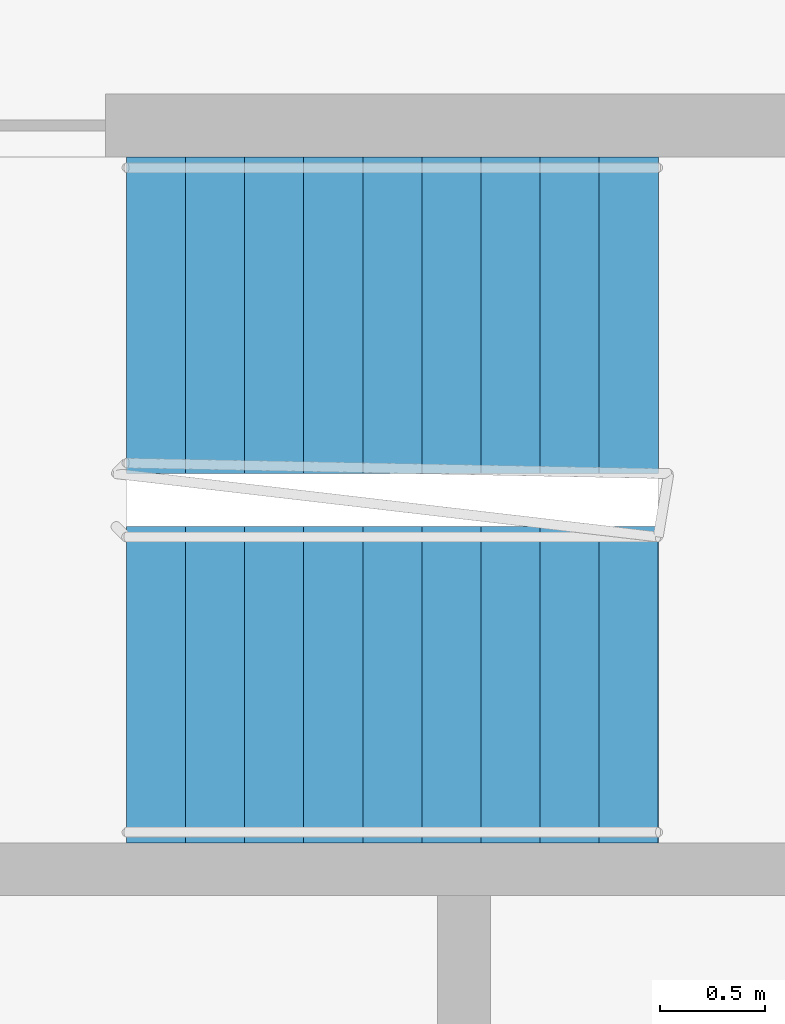
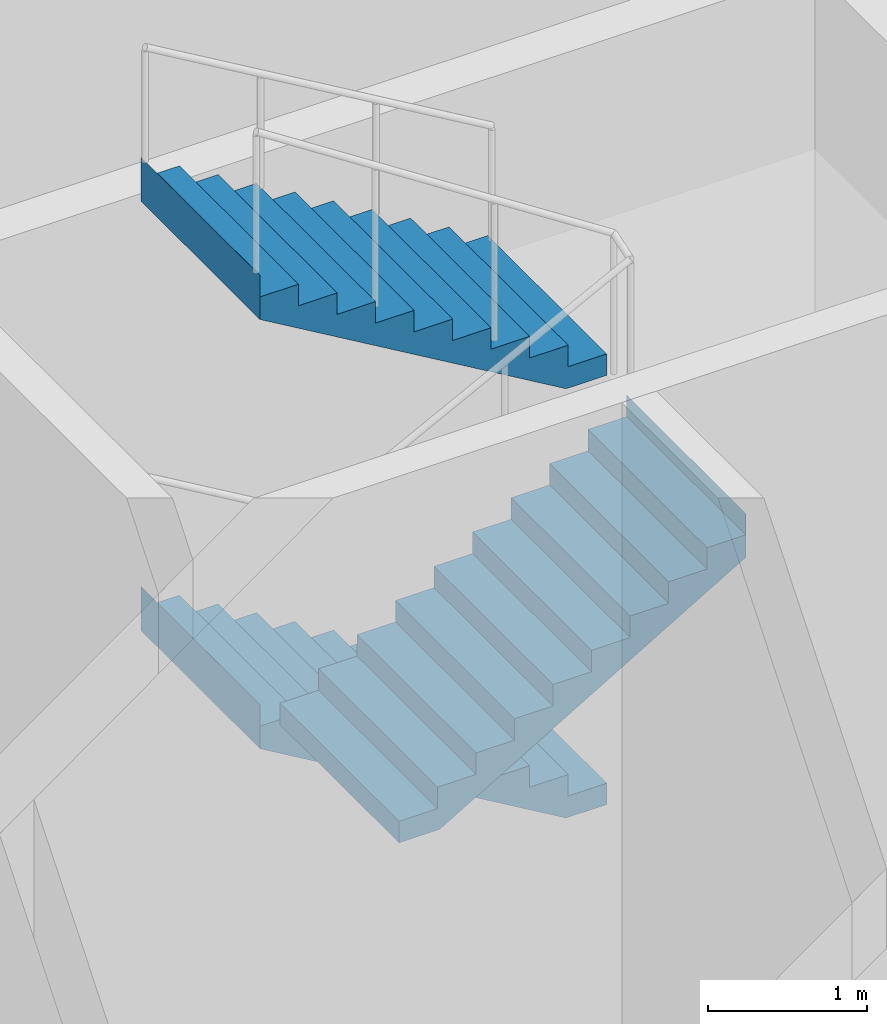
# One storey, part 21 of 24: 3 stair flights, 1 element without a shape of its own.
"""IFC4 building model written with IfcOpenShell, lengths in metres."""

from ifc_helpers import new_model, si_unit, direction, frame, origin, place, context, subcontext, project, spatial, faceted_brep, material, type_object, element, aggregate, save


model = new_model("IFC4")

# Units and contexts
model_context = context("Model", 3, precision=1e-05, world=origin(), true_north=direction((0.0, 1.0)))
body_context = subcontext(model_context, "Body", "Model", "MODEL_VIEW")
ifc_project = project(units=[si_unit("LENGTHUNIT", "METRE"), si_unit("AREAUNIT", "SQUARE_METRE"), si_unit("VOLUMEUNIT", "CUBIC_METRE"), si_unit("PLANEANGLEUNIT", "RADIAN"), si_unit("MASSUNIT", "GRAM", prefix="KILO")], contexts=[model_context])

# Site, building, storey
site_placement = place(None, origin())
site = spatial("IfcSite", under=ifc_project, at=site_placement, CompositionType="ELEMENT")
building_placement = place(site_placement, origin())
building = spatial("IfcBuilding", under=site, at=building_placement, Name="Kajstack Hotel Tower", CompositionType="ELEMENT")
storey_placement = place(building_placement, frame((0.0, 0.0, 261.89990234375)))
storey = spatial("IfcBuildingStorey", under=building, at=storey_placement, Name="L65", CompositionType="ELEMENT", Elevation=261.89990234375)

# Stair, stair flights
ifc_material = material(Name="Concrete C40/50", Category="concrete")
stair_type = type_object("IfcStairType", Name="Exit stair 1500", PredefinedType="HALF_TURN_STAIR", material=ifc_material)
stair_placement = place(storey_placement, origin())
stair = element("IfcStair", 1, at=stair_placement, inside=storey, type_object=stair_type, Name="L65 stair E3", PredefinedType="HALF_TURN_STAIR")
stair_flight_type = type_object("IfcStairFlightType", Name="Exit stair flight 1500", PredefinedType="STRAIGHT", material=ifc_material)
stair_flight_1_placement = place(storey_placement, frame((28.219970703125, 14.449951171875, 1.650146484375), z_axis=(0.0, 0.0, 1.0), x_axis=(-1.0, 0.0, 0.0)))
stair_flight_1 = element("IfcStairFlight", 2, at=stair_flight_1_placement, type_object=stair_flight_type, Name="E3 flight 2", NumberOfRisers=10, NumberOfTreads=9, PredefinedType="STRAIGHT", RiserHeight=0.165, TreadLength=0.28, context=body_context, shape_type="Brep", body=[
    faceted_brep([(0.295654296875, -0.75, 0.0), (2.5205078125, -0.75, 1.31103515625), (2.5205078125, -0.75, 1.64990234375), (2.52001953125, -0.75, 1.64990234375), (2.52001953125, -0.75, 1.485107421875), (2.239990234375, -0.75, 1.485107421875), (2.239990234375, -0.75, 1.320068359375), (1.9599609375, -0.75, 1.320068359375), (1.9599609375, -0.75, 1.155029296875), (1.679931640625, -0.75, 1.155029296875), (1.679931640625, -0.75, 0.989990234375), (1.39990234375, -0.75, 0.989990234375), (1.39990234375, -0.75, 0.824951171875), (1.1201171875, -0.75, 0.824951171875), (1.1201171875, -0.75, 0.659912109375), (0.840087890625, -0.75, 0.659912109375), (0.840087890625, -0.75, 0.4951171875), (0.56005859375, -0.75, 0.4951171875), (0.56005859375, -0.75, 0.330078125), (0.280029296875, -0.75, 0.330078125), (0.280029296875, -0.75, 0.1650390625), (-0.00048828125, -0.75, 0.1650390625), (-0.00048828125, -0.75, 0.0), (-0.00048828125, 0.75, 0.0), (-0.00048828125, 0.75, 0.1650390625), (0.280029296875, 0.75, 0.1650390625), (0.280029296875, 0.75, 0.330078125), (0.56005859375, 0.75, 0.330078125), (0.56005859375, 0.75, 0.4951171875), (0.840087890625, 0.75, 0.4951171875), (0.840087890625, 0.75, 0.659912109375), (1.1201171875, 0.75, 0.659912109375), (1.1201171875, 0.75, 0.824951171875), (1.39990234375, 0.75, 0.824951171875), (1.39990234375, 0.75, 0.989990234375), (1.679931640625, 0.75, 0.989990234375), (1.679931640625, 0.75, 1.155029296875), (1.9599609375, 0.75, 1.155029296875), (1.9599609375, 0.75, 1.320068359375), (2.239990234375, 0.75, 1.320068359375), (2.239990234375, 0.75, 1.485107421875), (2.52001953125, 0.75, 1.485107421875), (2.52001953125, 0.75, 1.64990234375), (2.5205078125, 0.75, 1.64990234375), (2.5205078125, 0.75, 1.31103515625), (0.295654296875, 0.75, 0.0), (-0.00048828125, -0.375, 0.1650390625), (-0.00048828125, 0.0, 0.1650390625), (-0.00048828125, 0.375, 0.1650390625), (-0.00048828125, 0.375, 0.0), (-0.00048828125, 0.0, 0.0), (-0.00048828125, -0.375, 0.0), (0.280029296875, -0.375, 0.1650390625), (0.280029296875, 0.0, 0.1650390625), (0.280029296875, 0.375, 0.1650390625), (0.280029296875, -0.375, 0.330078125), (0.280029296875, 0.0, 0.330078125), (0.280029296875, 0.375, 0.330078125), (0.56005859375, -0.375, 0.330078125), (0.56005859375, 0.0, 0.330078125), (0.56005859375, 0.375, 0.330078125), (0.56005859375, -0.375, 0.4951171875), (0.56005859375, 0.0, 0.4951171875), (0.56005859375, 0.375, 0.4951171875), (0.840087890625, -0.375, 0.4951171875), (0.840087890625, 0.0, 0.4951171875), (0.840087890625, 0.375, 0.4951171875), (0.840087890625, -0.375, 0.659912109375), (0.840087890625, 0.0, 0.659912109375), (0.840087890625, 0.375, 0.659912109375), (1.1201171875, -0.375, 0.659912109375), (1.1201171875, 0.0, 0.659912109375), (1.1201171875, 0.375, 0.659912109375), (1.1201171875, -0.375, 0.824951171875), (1.1201171875, 0.0, 0.824951171875), (1.1201171875, 0.375, 0.824951171875), (1.39990234375, -0.375, 0.824951171875), (1.39990234375, 0.0, 0.824951171875), (1.39990234375, 0.375, 0.824951171875), (1.39990234375, -0.375, 0.989990234375), (1.39990234375, 0.0, 0.989990234375), (1.39990234375, 0.375, 0.989990234375), (1.679931640625, -0.375, 0.989990234375), (1.679931640625, 0.0, 0.989990234375), (1.679931640625, 0.375, 0.989990234375), (1.679931640625, -0.375, 1.155029296875), (1.679931640625, 0.0, 1.155029296875), (1.679931640625, 0.375, 1.155029296875), (1.9599609375, -0.375, 1.155029296875), (1.9599609375, 0.0, 1.155029296875), (1.9599609375, 0.375, 1.155029296875), (1.9599609375, -0.375, 1.320068359375), (1.9599609375, 0.0, 1.320068359375), (1.9599609375, 0.375, 1.320068359375), (2.239990234375, -0.375, 1.320068359375), (2.239990234375, 0.0, 1.320068359375), (2.239990234375, 0.375, 1.320068359375), (2.239990234375, -0.375, 1.485107421875), (2.239990234375, 0.0, 1.485107421875), (2.239990234375, 0.375, 1.485107421875), (2.52001953125, -0.375, 1.485107421875), (2.52001953125, 0.0, 1.485107421875), (2.52001953125, 0.375, 1.485107421875), (2.52001953125, -0.375, 1.64990234375), (2.52001953125, 0.0, 1.64990234375), (2.52001953125, 0.375, 1.64990234375), (2.5205078125, -0.375, 1.64990234375), (2.5205078125, 0.0, 1.64990234375), (2.5205078125, 0.375, 1.64990234375), (2.5205078125, -0.375, 1.31103515625), (2.5205078125, 0.0, 1.31103515625), (2.5205078125, 0.375, 1.31103515625), (0.295654296875, -0.375, 0.0), (0.295654296875, 0.0, 0.0), (0.295654296875, 0.375, 0.0)], [[[0, 1, 2, 3, 4, 5, 6, 7, 8, 9, 10, 11, 12, 13, 14, 15, 16, 17, 18, 19, 20, 21, 22]], [[23, 24, 25, 26, 27, 28, 29, 30, 31, 32, 33, 34, 35, 36, 37, 38, 39, 40, 41, 42, 43, 44, 45]], [[21, 46, 47, 48, 24, 23, 49, 50, 51, 22]], [[20, 52, 53, 54, 25, 24, 48, 47, 46, 21]], [[19, 55, 56, 57, 26, 25, 54, 53, 52, 20]], [[18, 58, 59, 60, 27, 26, 57, 56, 55, 19]], [[17, 61, 62, 63, 28, 27, 60, 59, 58, 18]], [[16, 64, 65, 66, 29, 28, 63, 62, 61, 17]], [[15, 67, 68, 69, 30, 29, 66, 65, 64, 16]], [[14, 70, 71, 72, 31, 30, 69, 68, 67, 15]], [[13, 73, 74, 75, 32, 31, 72, 71, 70, 14]], [[12, 76, 77, 78, 33, 32, 75, 74, 73, 13]], [[11, 79, 80, 81, 34, 33, 78, 77, 76, 12]], [[10, 82, 83, 84, 35, 34, 81, 80, 79, 11]], [[9, 85, 86, 87, 36, 35, 84, 83, 82, 10]], [[8, 88, 89, 90, 37, 36, 87, 86, 85, 9]], [[7, 91, 92, 93, 38, 37, 90, 89, 88, 8]], [[6, 94, 95, 96, 39, 38, 93, 92, 91, 7]], [[5, 97, 98, 99, 40, 39, 96, 95, 94, 6]], [[4, 100, 101, 102, 41, 40, 99, 98, 97, 5]], [[3, 103, 104, 105, 42, 41, 102, 101, 100, 4]], [[2, 106, 107, 108, 43, 42, 105, 104, 103, 3]], [[1, 109, 110, 111, 44, 43, 108, 107, 106, 2]], [[0, 112, 113, 114, 45, 44, 111, 110, 109, 1]], [[22, 51, 50, 49, 23, 45, 114, 113, 112, 0]]]),
])
stair_flight_2_placement = place(storey_placement, frame((25.699951171875, 12.699951171875, 3.300048828125), z_axis=(0.0, 0.0, 1.0), x_axis=(1.0, 0.0, 0.0)))
stair_flight_2 = element("IfcStairFlight", 3, at=stair_flight_2_placement, type_object=stair_flight_type, Name="E3 flight 3", NumberOfRisers=10, NumberOfTreads=9, PredefinedType="STRAIGHT", RiserHeight=0.165, TreadLength=0.28, context=body_context, shape_type="Brep", body=[
    faceted_brep([(0.295654296875, -0.75, 0.0), (2.5205078125, -0.75, 1.31103515625), (2.5205078125, -0.75, 1.64990234375), (2.52001953125, -0.75, 1.64990234375), (2.52001953125, -0.75, 1.485107421875), (2.239990234375, -0.75, 1.485107421875), (2.239990234375, -0.75, 1.320068359375), (1.9599609375, -0.75, 1.320068359375), (1.9599609375, -0.75, 1.155029296875), (1.679931640625, -0.75, 1.155029296875), (1.679931640625, -0.75, 0.989990234375), (1.39990234375, -0.75, 0.989990234375), (1.39990234375, -0.75, 0.824951171875), (1.1201171875, -0.75, 0.824951171875), (1.1201171875, -0.75, 0.659912109375), (0.840087890625, -0.75, 0.659912109375), (0.840087890625, -0.75, 0.4951171875), (0.56005859375, -0.75, 0.4951171875), (0.56005859375, -0.75, 0.330078125), (0.280029296875, -0.75, 0.330078125), (0.280029296875, -0.75, 0.1650390625), (-0.00048828125, -0.75, 0.1650390625), (-0.00048828125, -0.75, 0.0), (-0.00048828125, 0.75, 0.0), (-0.00048828125, 0.75, 0.1650390625), (0.280029296875, 0.75, 0.1650390625), (0.280029296875, 0.75, 0.330078125), (0.56005859375, 0.75, 0.330078125), (0.56005859375, 0.75, 0.4951171875), (0.840087890625, 0.75, 0.4951171875), (0.840087890625, 0.75, 0.659912109375), (1.1201171875, 0.75, 0.659912109375), (1.1201171875, 0.75, 0.824951171875), (1.39990234375, 0.75, 0.824951171875), (1.39990234375, 0.75, 0.989990234375), (1.679931640625, 0.75, 0.989990234375), (1.679931640625, 0.75, 1.155029296875), (1.9599609375, 0.75, 1.155029296875), (1.9599609375, 0.75, 1.320068359375), (2.239990234375, 0.75, 1.320068359375), (2.239990234375, 0.75, 1.485107421875), (2.52001953125, 0.75, 1.485107421875), (2.52001953125, 0.75, 1.64990234375), (2.5205078125, 0.75, 1.64990234375), (2.5205078125, 0.75, 1.31103515625), (0.295654296875, 0.75, 0.0), (-0.00048828125, -0.375, 0.1650390625), (-0.00048828125, 0.0, 0.1650390625), (-0.00048828125, 0.375, 0.1650390625), (-0.00048828125, 0.375, 0.0), (-0.00048828125, 0.0, 0.0), (-0.00048828125, -0.375, 0.0), (0.280029296875, -0.375, 0.1650390625), (0.280029296875, 0.0, 0.1650390625), (0.280029296875, 0.375, 0.1650390625), (0.280029296875, -0.375, 0.330078125), (0.280029296875, 0.0, 0.330078125), (0.280029296875, 0.375, 0.330078125), (0.56005859375, -0.375, 0.330078125), (0.56005859375, 0.0, 0.330078125), (0.56005859375, 0.375, 0.330078125), (0.56005859375, -0.375, 0.4951171875), (0.56005859375, 0.0, 0.4951171875), (0.56005859375, 0.375, 0.4951171875), (0.840087890625, -0.375, 0.4951171875), (0.840087890625, 0.0, 0.4951171875), (0.840087890625, 0.375, 0.4951171875), (0.840087890625, -0.375, 0.659912109375), (0.840087890625, 0.0, 0.659912109375), (0.840087890625, 0.375, 0.659912109375), (1.1201171875, -0.375, 0.659912109375), (1.1201171875, 0.0, 0.659912109375), (1.1201171875, 0.375, 0.659912109375), (1.1201171875, -0.375, 0.824951171875), (1.1201171875, 0.0, 0.824951171875), (1.1201171875, 0.375, 0.824951171875), (1.39990234375, -0.375, 0.824951171875), (1.39990234375, 0.0, 0.824951171875), (1.39990234375, 0.375, 0.824951171875), (1.39990234375, -0.375, 0.989990234375), (1.39990234375, 0.0, 0.989990234375), (1.39990234375, 0.375, 0.989990234375), (1.679931640625, -0.375, 0.989990234375), (1.679931640625, 0.0, 0.989990234375), (1.679931640625, 0.375, 0.989990234375), (1.679931640625, -0.375, 1.155029296875), (1.679931640625, 0.0, 1.155029296875), (1.679931640625, 0.375, 1.155029296875), (1.9599609375, -0.375, 1.155029296875), (1.9599609375, 0.0, 1.155029296875), (1.9599609375, 0.375, 1.155029296875), (1.9599609375, -0.375, 1.320068359375), (1.9599609375, 0.0, 1.320068359375), (1.9599609375, 0.375, 1.320068359375), (2.239990234375, -0.375, 1.320068359375), (2.239990234375, 0.0, 1.320068359375), (2.239990234375, 0.375, 1.320068359375), (2.239990234375, -0.375, 1.485107421875), (2.239990234375, 0.0, 1.485107421875), (2.239990234375, 0.375, 1.485107421875), (2.52001953125, -0.375, 1.485107421875), (2.52001953125, 0.0, 1.485107421875), (2.52001953125, 0.375, 1.485107421875), (2.52001953125, -0.375, 1.64990234375), (2.52001953125, 0.0, 1.64990234375), (2.52001953125, 0.375, 1.64990234375), (2.5205078125, -0.375, 1.64990234375), (2.5205078125, 0.0, 1.64990234375), (2.5205078125, 0.375, 1.64990234375), (2.5205078125, -0.375, 1.31103515625), (2.5205078125, 0.0, 1.31103515625), (2.5205078125, 0.375, 1.31103515625), (0.295654296875, -0.375, 0.0), (0.295654296875, 0.0, 0.0), (0.295654296875, 0.375, 0.0)], [[[0, 1, 2, 3, 4, 5, 6, 7, 8, 9, 10, 11, 12, 13, 14, 15, 16, 17, 18, 19, 20, 21, 22]], [[23, 24, 25, 26, 27, 28, 29, 30, 31, 32, 33, 34, 35, 36, 37, 38, 39, 40, 41, 42, 43, 44, 45]], [[21, 46, 47, 48, 24, 23, 49, 50, 51, 22]], [[20, 52, 53, 54, 25, 24, 48, 47, 46, 21]], [[19, 55, 56, 57, 26, 25, 54, 53, 52, 20]], [[18, 58, 59, 60, 27, 26, 57, 56, 55, 19]], [[17, 61, 62, 63, 28, 27, 60, 59, 58, 18]], [[16, 64, 65, 66, 29, 28, 63, 62, 61, 17]], [[15, 67, 68, 69, 30, 29, 66, 65, 64, 16]], [[14, 70, 71, 72, 31, 30, 69, 68, 67, 15]], [[13, 73, 74, 75, 32, 31, 72, 71, 70, 14]], [[12, 76, 77, 78, 33, 32, 75, 74, 73, 13]], [[11, 79, 80, 81, 34, 33, 78, 77, 76, 12]], [[10, 82, 83, 84, 35, 34, 81, 80, 79, 11]], [[9, 85, 86, 87, 36, 35, 84, 83, 82, 10]], [[8, 88, 89, 90, 37, 36, 87, 86, 85, 9]], [[7, 91, 92, 93, 38, 37, 90, 89, 88, 8]], [[6, 94, 95, 96, 39, 38, 93, 92, 91, 7]], [[5, 97, 98, 99, 40, 39, 96, 95, 94, 6]], [[4, 100, 101, 102, 41, 40, 99, 98, 97, 5]], [[3, 103, 104, 105, 42, 41, 102, 101, 100, 4]], [[2, 106, 107, 108, 43, 42, 105, 104, 103, 3]], [[1, 109, 110, 111, 44, 43, 108, 107, 106, 2]], [[0, 112, 113, 114, 45, 44, 111, 110, 109, 1]], [[22, 51, 50, 49, 23, 45, 114, 113, 112, 0]]]),
])
stair_flight_3_placement = place(storey_placement, frame((28.219970703125, 14.449951171875, 4.9501953125), z_axis=(0.0, 0.0, 1.0), x_axis=(-1.0, 0.0, 0.0)))
stair_flight_3 = element("IfcStairFlight", 4, at=stair_flight_3_placement, type_object=stair_flight_type, Name="E3 flight 4", NumberOfRisers=10, NumberOfTreads=9, PredefinedType="STRAIGHT", RiserHeight=0.165, TreadLength=0.28, context=body_context, shape_type="Brep", body=[
    faceted_brep([(0.295654296875, -0.75, 0.0), (2.5205078125, -0.75, 1.31103515625), (2.5205078125, -0.75, 1.64990234375), (2.52001953125, -0.75, 1.64990234375), (2.52001953125, -0.75, 1.485107421875), (2.239990234375, -0.75, 1.485107421875), (2.239990234375, -0.75, 1.320068359375), (1.9599609375, -0.75, 1.320068359375), (1.9599609375, -0.75, 1.155029296875), (1.679931640625, -0.75, 1.155029296875), (1.679931640625, -0.75, 0.989990234375), (1.39990234375, -0.75, 0.989990234375), (1.39990234375, -0.75, 0.824951171875), (1.1201171875, -0.75, 0.824951171875), (1.1201171875, -0.75, 0.659912109375), (0.840087890625, -0.75, 0.659912109375), (0.840087890625, -0.75, 0.4951171875), (0.56005859375, -0.75, 0.4951171875), (0.56005859375, -0.75, 0.330078125), (0.280029296875, -0.75, 0.330078125), (0.280029296875, -0.75, 0.1650390625), (-0.00048828125, -0.75, 0.1650390625), (-0.00048828125, -0.75, 0.0), (-0.00048828125, 0.75, 0.0), (-0.00048828125, 0.75, 0.1650390625), (0.280029296875, 0.75, 0.1650390625), (0.280029296875, 0.75, 0.330078125), (0.56005859375, 0.75, 0.330078125), (0.56005859375, 0.75, 0.4951171875), (0.840087890625, 0.75, 0.4951171875), (0.840087890625, 0.75, 0.659912109375), (1.1201171875, 0.75, 0.659912109375), (1.1201171875, 0.75, 0.824951171875), (1.39990234375, 0.75, 0.824951171875), (1.39990234375, 0.75, 0.989990234375), (1.679931640625, 0.75, 0.989990234375), (1.679931640625, 0.75, 1.155029296875), (1.9599609375, 0.75, 1.155029296875), (1.9599609375, 0.75, 1.320068359375), (2.239990234375, 0.75, 1.320068359375), (2.239990234375, 0.75, 1.485107421875), (2.52001953125, 0.75, 1.485107421875), (2.52001953125, 0.75, 1.64990234375), (2.5205078125, 0.75, 1.64990234375), (2.5205078125, 0.75, 1.31103515625), (0.295654296875, 0.75, 0.0), (-0.00048828125, -0.375, 0.1650390625), (-0.00048828125, 0.0, 0.1650390625), (-0.00048828125, 0.375, 0.1650390625), (-0.00048828125, 0.375, 0.0), (-0.00048828125, 0.0, 0.0), (-0.00048828125, -0.375, 0.0), (0.280029296875, -0.375, 0.1650390625), (0.280029296875, 0.0, 0.1650390625), (0.280029296875, 0.375, 0.1650390625), (0.280029296875, -0.375, 0.330078125), (0.280029296875, 0.0, 0.330078125), (0.280029296875, 0.375, 0.330078125), (0.56005859375, -0.375, 0.330078125), (0.56005859375, 0.0, 0.330078125), (0.56005859375, 0.375, 0.330078125), (0.56005859375, -0.375, 0.4951171875), (0.56005859375, 0.0, 0.4951171875), (0.56005859375, 0.375, 0.4951171875), (0.840087890625, -0.375, 0.4951171875), (0.840087890625, 0.0, 0.4951171875), (0.840087890625, 0.375, 0.4951171875), (0.840087890625, -0.375, 0.659912109375), (0.840087890625, 0.0, 0.659912109375), (0.840087890625, 0.375, 0.659912109375), (1.1201171875, -0.375, 0.659912109375), (1.1201171875, 0.0, 0.659912109375), (1.1201171875, 0.375, 0.659912109375), (1.1201171875, -0.375, 0.824951171875), (1.1201171875, 0.0, 0.824951171875), (1.1201171875, 0.375, 0.824951171875), (1.39990234375, -0.375, 0.824951171875), (1.39990234375, 0.0, 0.824951171875), (1.39990234375, 0.375, 0.824951171875), (1.39990234375, -0.375, 0.989990234375), (1.39990234375, 0.0, 0.989990234375), (1.39990234375, 0.375, 0.989990234375), (1.679931640625, -0.375, 0.989990234375), (1.679931640625, 0.0, 0.989990234375), (1.679931640625, 0.375, 0.989990234375), (1.679931640625, -0.375, 1.155029296875), (1.679931640625, 0.0, 1.155029296875), (1.679931640625, 0.375, 1.155029296875), (1.9599609375, -0.375, 1.155029296875), (1.9599609375, 0.0, 1.155029296875), (1.9599609375, 0.375, 1.155029296875), (1.9599609375, -0.375, 1.320068359375), (1.9599609375, 0.0, 1.320068359375), (1.9599609375, 0.375, 1.320068359375), (2.239990234375, -0.375, 1.320068359375), (2.239990234375, 0.0, 1.320068359375), (2.239990234375, 0.375, 1.320068359375), (2.239990234375, -0.375, 1.485107421875), (2.239990234375, 0.0, 1.485107421875), (2.239990234375, 0.375, 1.485107421875), (2.52001953125, -0.375, 1.485107421875), (2.52001953125, 0.0, 1.485107421875), (2.52001953125, 0.375, 1.485107421875), (2.52001953125, -0.375, 1.64990234375), (2.52001953125, 0.0, 1.64990234375), (2.52001953125, 0.375, 1.64990234375), (2.5205078125, -0.375, 1.64990234375), (2.5205078125, 0.0, 1.64990234375), (2.5205078125, 0.375, 1.64990234375), (2.5205078125, -0.375, 1.31103515625), (2.5205078125, 0.0, 1.31103515625), (2.5205078125, 0.375, 1.31103515625), (0.295654296875, -0.375, 0.0), (0.295654296875, 0.0, 0.0), (0.295654296875, 0.375, 0.0)], [[[0, 1, 2, 3, 4, 5, 6, 7, 8, 9, 10, 11, 12, 13, 14, 15, 16, 17, 18, 19, 20, 21, 22]], [[23, 24, 25, 26, 27, 28, 29, 30, 31, 32, 33, 34, 35, 36, 37, 38, 39, 40, 41, 42, 43, 44, 45]], [[21, 46, 47, 48, 24, 23, 49, 50, 51, 22]], [[20, 52, 53, 54, 25, 24, 48, 47, 46, 21]], [[19, 55, 56, 57, 26, 25, 54, 53, 52, 20]], [[18, 58, 59, 60, 27, 26, 57, 56, 55, 19]], [[17, 61, 62, 63, 28, 27, 60, 59, 58, 18]], [[16, 64, 65, 66, 29, 28, 63, 62, 61, 17]], [[15, 67, 68, 69, 30, 29, 66, 65, 64, 16]], [[14, 70, 71, 72, 31, 30, 69, 68, 67, 15]], [[13, 73, 74, 75, 32, 31, 72, 71, 70, 14]], [[12, 76, 77, 78, 33, 32, 75, 74, 73, 13]], [[11, 79, 80, 81, 34, 33, 78, 77, 76, 12]], [[10, 82, 83, 84, 35, 34, 81, 80, 79, 11]], [[9, 85, 86, 87, 36, 35, 84, 83, 82, 10]], [[8, 88, 89, 90, 37, 36, 87, 86, 85, 9]], [[7, 91, 92, 93, 38, 37, 90, 89, 88, 8]], [[6, 94, 95, 96, 39, 38, 93, 92, 91, 7]], [[5, 97, 98, 99, 40, 39, 96, 95, 94, 6]], [[4, 100, 101, 102, 41, 40, 99, 98, 97, 5]], [[3, 103, 104, 105, 42, 41, 102, 101, 100, 4]], [[2, 106, 107, 108, 43, 42, 105, 104, 103, 3]], [[1, 109, 110, 111, 44, 43, 108, 107, 106, 2]], [[0, 112, 113, 114, 45, 44, 111, 110, 109, 1]], [[22, 51, 50, 49, 23, 45, 114, 113, 112, 0]]]),
])
aggregate(stair, [stair_flight_1, stair_flight_2, stair_flight_3])

save(model, "model.ifc")
